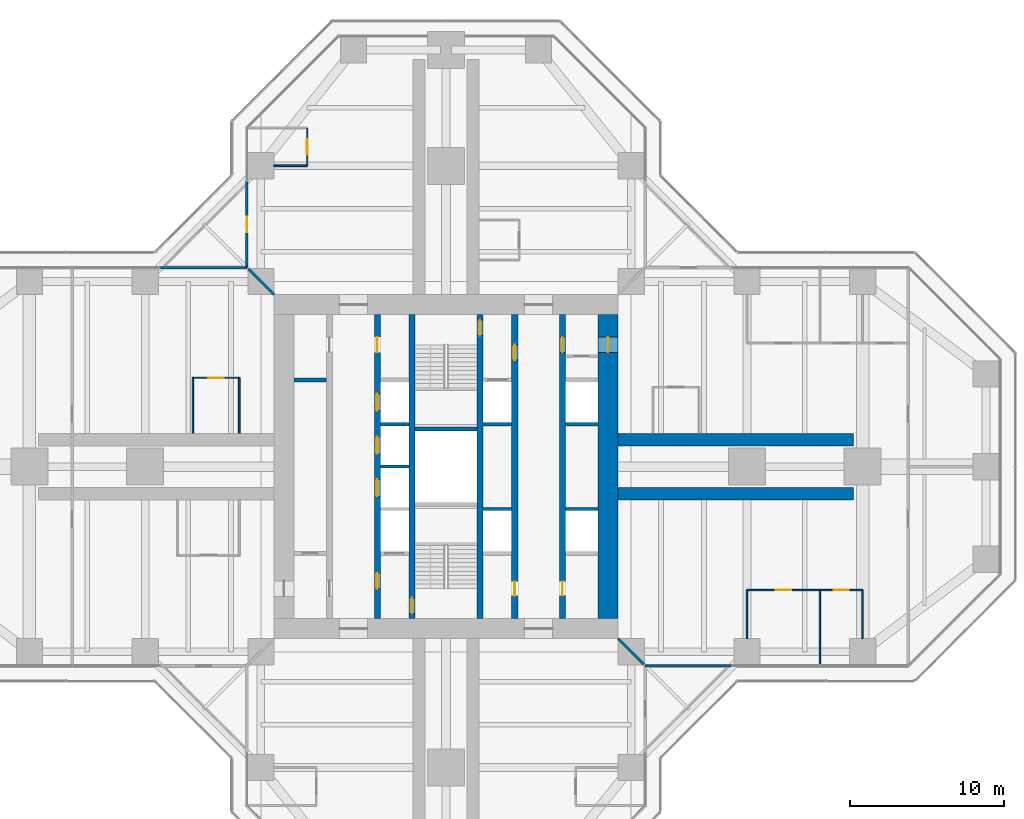
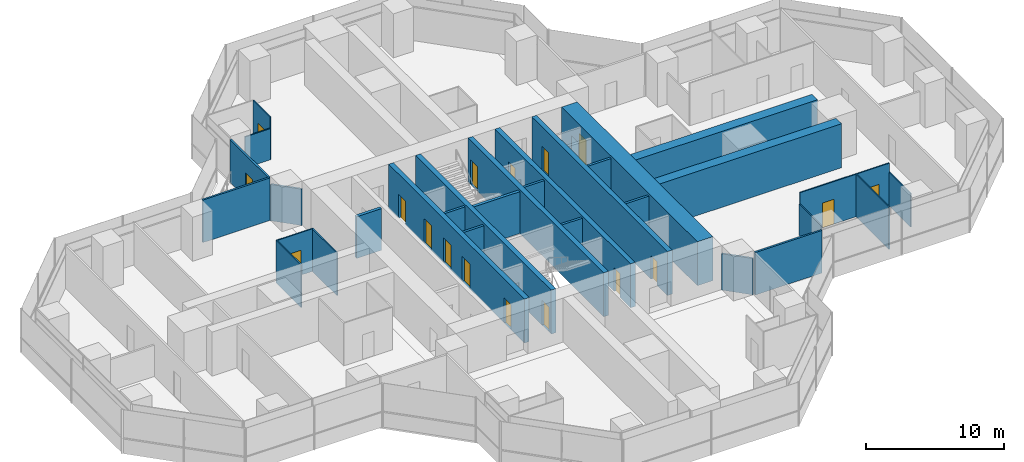
# One storey, part 16 of 20: 30 walls, 17 doors, 17 openings.
"""IFC4 building model written with IfcOpenShell, lengths in metres."""

from ifc_helpers import new_model, si_unit, direction, frame, frame_2d, origin, place, context, subcontext, project, spatial, rectangle, extrude, material, layer, layer_set, type_object, element, fill, save


model = new_model("IFC4")

# Units and contexts
model_context = context("Model", 3, precision=1e-05, world=origin(), true_north=direction((0.0, 1.0)))
body_context = subcontext(model_context, "Body", "Model", "MODEL_VIEW")
ifc_project = project(units=[si_unit("LENGTHUNIT", "METRE"), si_unit("AREAUNIT", "SQUARE_METRE"), si_unit("VOLUMEUNIT", "CUBIC_METRE"), si_unit("PLANEANGLEUNIT", "RADIAN"), si_unit("MASSUNIT", "GRAM", prefix="KILO")], contexts=[model_context])

# Site, building, storey
site_placement = place(None, origin())
site = spatial("IfcSite", under=ifc_project, at=site_placement, CompositionType="ELEMENT")
building_placement = place(site_placement, origin())
building = spatial("IfcBuilding", under=site, at=building_placement, Name="Mizan Broadcast Tower", CompositionType="ELEMENT")
storey_placement = place(building_placement, frame((0.0, 0.0, 147.60009765625)))
storey = spatial("IfcBuildingStorey", under=building, at=storey_placement, Name="L33", CompositionType="ELEMENT", Elevation=147.60009765625)

# Wall, openings, doors
ifc_material_1 = material(Name="Concrete C70/85", Category="concrete")
ifc_layer_1 = layer(ifc_material_1, 0.39990234375)
ifc_layer_set_1 = layer_set([ifc_layer_1], Name="Concrete C70/85")
wall_type_1 = type_object("IfcWallType", Name="CORE INTERNAL WALL 400", PredefinedType="SHEAR", material=ifc_layer_set_1)
wall_1_placement = place(storey_placement, frame((7.550048828125, 9.85009765625, 0.0), z_axis=(0.0, 0.0, 1.0), x_axis=(0.0, -1.0, 0.0)))
wall_1 = element("IfcWall", 1, at=wall_1_placement, inside=storey, type_object=wall_type_1, Name="Core wall CORE/XW1E", PredefinedType="SHEAR", context=body_context, shape_type="SweptSolid", body=[
    extrude(rectangle(XDim=19.7001953125, YDim=0.39990234375, at=frame_2d((9.85009765625, 0.0))), origin(), (0.0, 0.0, 1.0), 3.89990234375),
])
opening_1_placement = place(wall_1_placement, frame((1.449951171875, 0.0, 0.0)))
opening_1 = element("IfcOpeningElement", 2, at=opening_1_placement, cuts=wall_1, Name="Opening D10F", PredefinedType="OPENING", context=body_context, shape_type="SweptSolid", body=[
    extrude(rectangle(XDim=1.0, YDim=2.199951171875, at=frame_2d((0.5, 1.10009765625))), frame((0.0, 0.2099609375, 0.0), z_axis=(0.0, -1.0, 0.0), x_axis=(1.0, 0.0, 0.0)), (0.0, 0.0, 1.0), 0.419921875),
])
opening_2_placement = place(wall_1_placement, frame((17.300048828125, 0.0, 0.0)))
opening_2 = element("IfcOpeningElement", 3, at=opening_2_placement, cuts=wall_1, Name="Opening D09", PredefinedType="OPENING", context=body_context, shape_type="SweptSolid", body=[
    extrude(rectangle(XDim=0.89990234375, YDim=2.10009765625, at=frame_2d((0.449951171875, 1.050048828125))), frame((0.0, 0.2099609375, 0.0), z_axis=(0.0, -1.0, 0.0), x_axis=(1.0, 0.0, 0.0)), (0.0, 0.0, 1.0), 0.419921875),
])
ifc_material_2 = material(Name="Steel door leaf in steel frame", Category="steel")
door_type_1 = type_object("IfcDoorType", Name="FIRE DOOR 1000 FD90", OperationType="SINGLE_SWING_LEFT", PredefinedType="DOOR", material=ifc_material_2)
door_1_placement = place(opening_1_placement, origin())
door_1 = element("IfcDoor", 4, at=door_1_placement, inside=storey, type_object=door_type_1, Name="East core passage door", OperationType="SINGLE_SWING_LEFT", OverallHeight=2.199951171875, OverallWidth=1.0, PredefinedType="DOOR", context=body_context, shape_type="SweptSolid", body=[
    extrude(rectangle(XDim=1.0, YDim=2.199951171875, at=frame_2d((0.5, 1.10009765625))), frame((0.0, 0.02490234375, 0.0), z_axis=(0.0, -1.0, 0.0), x_axis=(1.0, 0.0, 0.0)), (0.0, 0.0, 1.0), 0.050048828125),
])
fill(opening_1, door_1)
ifc_material_3 = material(Name="Timber door leaf in aluminium frame", Category="wood")
door_type_2 = type_object("IfcDoorType", Name="TOILET DOOR 900", OperationType="SINGLE_SWING_LEFT", PredefinedType="DOOR", material=ifc_material_3)
door_2_placement = place(opening_2_placement, origin())
door_2 = element("IfcDoor", 5, at=door_2_placement, inside=storey, type_object=door_type_2, Name="Female WC door", OperationType="SINGLE_SWING_RIGHT", OverallHeight=2.10009765625, OverallWidth=0.89990234375, PredefinedType="DOOR", context=body_context, shape_type="SweptSolid", body=[
    extrude(rectangle(XDim=0.89990234375, YDim=2.10009765625, at=frame_2d((0.449951171875, 1.050048828125))), frame((0.0, 0.02490234375, 0.0), z_axis=(0.0, -1.0, 0.0), x_axis=(1.0, 0.0, 0.0)), (0.0, 0.0, 1.0), 0.050048828125),
])
fill(opening_2, door_2)

wall_2_placement = place(storey_placement, frame((-4.449951171875, -9.85009765625, 0.0), z_axis=(0.0, 0.0, 1.0), x_axis=(0.0, 1.0, 0.0)))
wall_2 = element("IfcWall", 6, at=wall_2_placement, inside=storey, type_object=wall_type_1, Name="Core wall CORE/XWH", PredefinedType="SHEAR", context=body_context, shape_type="SweptSolid", body=[
    extrude(rectangle(XDim=19.7001953125, YDim=0.39990234375, at=frame_2d((9.85009765625, 0.0))), origin(), (0.0, 0.0, 1.0), 3.89990234375),
])
opening_3_placement = place(wall_2_placement, frame((1.949951171875, 0.0, 0.0)))
opening_3 = element("IfcOpeningElement", 7, at=opening_3_placement, cuts=wall_2, Name="Opening D10F", PredefinedType="OPENING", context=body_context, shape_type="SweptSolid", body=[
    extrude(rectangle(XDim=1.0, YDim=2.199951171875, at=frame_2d((0.5, 1.10009765625))), frame((0.0, 0.2099609375, 0.0), z_axis=(0.0, -1.0, 0.0), x_axis=(1.0, 0.0, 0.0)), (0.0, 0.0, 1.0), 0.419921875),
])
opening_4_placement = place(wall_2_placement, frame((17.25, 0.0, 0.0)))
opening_4 = element("IfcOpeningElement", 8, at=opening_4_placement, cuts=wall_2, Name="Opening D10A", PredefinedType="OPENING", context=body_context, shape_type="SweptSolid", body=[
    extrude(rectangle(XDim=1.0, YDim=2.10009765625, at=frame_2d((0.5, 1.050048828125))), frame((0.0, 0.2099609375, 0.0), z_axis=(0.0, -1.0, 0.0), x_axis=(1.0, 0.0, 0.0)), (0.0, 0.0, 1.0), 0.419921875),
])
opening_5_placement = place(wall_2_placement, frame((7.925048828125, 0.0, 0.0)))
opening_5 = element("IfcOpeningElement", 9, at=opening_5_placement, cuts=wall_2, Name="Opening LD", PredefinedType="OPENING", context=body_context, shape_type="SweptSolid", body=[
    extrude(rectangle(XDim=1.10009765625, YDim=2.199951171875, at=frame_2d((0.550048828125, 1.10009765625))), frame((0.0, 0.2099609375, 0.0), z_axis=(0.0, -1.0, 0.0), x_axis=(1.0, 0.0, 0.0)), (0.0, 0.0, 1.0), 0.419921875),
])
opening_6_placement = place(wall_2_placement, frame((10.675048828125, 0.0, 0.0)))
opening_6 = element("IfcOpeningElement", 10, at=opening_6_placement, cuts=wall_2, Name="Opening LD", PredefinedType="OPENING", context=body_context, shape_type="SweptSolid", body=[
    extrude(rectangle(XDim=1.10009765625, YDim=2.199951171875, at=frame_2d((0.550048828125, 1.10009765625))), frame((0.0, 0.2099609375, 0.0), z_axis=(0.0, -1.0, 0.0), x_axis=(1.0, 0.0, 0.0)), (0.0, 0.0, 1.0), 0.419921875),
])
opening_7_placement = place(wall_2_placement, frame((13.47509765625, 0.0, 0.0)))
opening_7 = element("IfcOpeningElement", 11, at=opening_7_placement, cuts=wall_2, Name="Opening LD", PredefinedType="OPENING", context=body_context, shape_type="SweptSolid", body=[
    extrude(rectangle(XDim=1.10009765625, YDim=2.199951171875, at=frame_2d((0.550048828125, 1.10009765625))), frame((0.0, 0.2099609375, 0.0), z_axis=(0.0, -1.0, 0.0), x_axis=(1.0, 0.0, 0.0)), (0.0, 0.0, 1.0), 0.419921875),
])
ifc_material_4 = material(Name="Timber door leaf in aluminium frame", Category="wood")
door_type_3 = type_object("IfcDoorType", Name="ACCESSIBLE WC DOOR 1000", OperationType="SLIDING_TO_LEFT", PredefinedType="DOOR", material=ifc_material_4)
door_3_placement = place(opening_4_placement, origin())
door_3 = element("IfcDoor", 12, at=door_3_placement, inside=storey, type_object=door_type_3, Name="Accessible WC door", OperationType="SLIDING_TO_LEFT", OverallHeight=2.10009765625, OverallWidth=1.0, PredefinedType="DOOR", context=body_context, shape_type="SweptSolid", body=[
    extrude(rectangle(XDim=1.0, YDim=2.10009765625, at=frame_2d((0.5, 1.050048828125))), frame((0.0, 0.02490234375, 0.0), z_axis=(0.0, -1.0, 0.0), x_axis=(1.0, 0.0, 0.0)), (0.0, 0.0, 1.0), 0.050048828125),
])
fill(opening_4, door_3)
door_4_placement = place(opening_3_placement, origin())
door_4 = element("IfcDoor", 13, at=door_4_placement, inside=storey, type_object=door_type_1, Name="Firefighting lobby A door", OperationType="SINGLE_SWING_LEFT", OverallHeight=2.199951171875, OverallWidth=1.0, PredefinedType="DOOR", context=body_context, shape_type="SweptSolid", body=[
    extrude(rectangle(XDim=1.0, YDim=2.199951171875, at=frame_2d((0.5, 1.10009765625))), frame((0.0, 0.02490234375, 0.0), z_axis=(0.0, -1.0, 0.0), x_axis=(1.0, 0.0, 0.0)), (0.0, 0.0, 1.0), 0.050048828125),
])
fill(opening_3, door_4)
ifc_material_5 = material(Name="Steel door leaf in steel frame", Category="steel")
door_type_4 = type_object("IfcDoorType", Name="LIFT LANDING DOOR 1100", OperationType="SLIDING_TO_LEFT", PredefinedType="DOOR", material=ifc_material_5)
door_5_placement = place(opening_5_placement, origin())
door_5 = element("IfcDoor", 14, at=door_5_placement, inside=storey, type_object=door_type_4, Name="Landing door LB1", OperationType="SLIDING_TO_LEFT", OverallHeight=2.199951171875, OverallWidth=1.10009765625, PredefinedType="DOOR", context=body_context, shape_type="SweptSolid", body=[
    extrude(rectangle(XDim=1.10009765625, YDim=2.199951171875, at=frame_2d((0.550048828125, 1.10009765625))), frame((0.0, 0.02490234375, 0.0), z_axis=(0.0, -1.0, 0.0), x_axis=(1.0, 0.0, 0.0)), (0.0, 0.0, 1.0), 0.050048828125),
])
fill(opening_5, door_5)
door_6_placement = place(opening_6_placement, origin())
door_6 = element("IfcDoor", 15, at=door_6_placement, inside=storey, type_object=door_type_4, Name="Landing door LB2", OperationType="SLIDING_TO_LEFT", OverallHeight=2.199951171875, OverallWidth=1.10009765625, PredefinedType="DOOR", context=body_context, shape_type="SweptSolid", body=[
    extrude(rectangle(XDim=1.10009765625, YDim=2.199951171875, at=frame_2d((0.550048828125, 1.10009765625))), frame((0.0, 0.02490234375, 0.0), z_axis=(0.0, -1.0, 0.0), x_axis=(1.0, 0.0, 0.0)), (0.0, 0.0, 1.0), 0.050048828125),
])
fill(opening_6, door_6)
door_7_placement = place(opening_7_placement, origin())
door_7 = element("IfcDoor", 16, at=door_7_placement, inside=storey, type_object=door_type_4, Name="Landing door LB3", OperationType="SLIDING_TO_LEFT", OverallHeight=2.199951171875, OverallWidth=1.10009765625, PredefinedType="DOOR", context=body_context, shape_type="SweptSolid", body=[
    extrude(rectangle(XDim=1.10009765625, YDim=2.199951171875, at=frame_2d((0.550048828125, 1.10009765625))), frame((0.0, 0.02490234375, 0.0), z_axis=(0.0, -1.0, 0.0), x_axis=(1.0, 0.0, 0.0)), (0.0, 0.0, 1.0), 0.050048828125),
])
fill(opening_7, door_7)

wall_3_placement = place(storey_placement, frame((4.449951171875, 9.85009765625, 0.0), z_axis=(0.0, 0.0, 1.0), x_axis=(0.0, -1.0, 0.0)))
wall_3 = element("IfcWall", 17, at=wall_3_placement, inside=storey, type_object=wall_type_1, Name="Core wall CORE/XWHE", PredefinedType="SHEAR", context=body_context, shape_type="SweptSolid", body=[
    extrude(rectangle(XDim=19.7001953125, YDim=0.39990234375, at=frame_2d((9.85009765625, 0.0))), origin(), (0.0, 0.0, 1.0), 3.89990234375),
])
opening_8_placement = place(wall_3_placement, frame((1.949951171875, 0.0, 0.0)))
opening_8 = element("IfcOpeningElement", 18, at=opening_8_placement, cuts=wall_3, Name="Opening D10F", PredefinedType="OPENING", context=body_context, shape_type="SweptSolid", body=[
    extrude(rectangle(XDim=1.0, YDim=2.199951171875, at=frame_2d((0.5, 1.10009765625))), frame((0.0, 0.2099609375, 0.0), z_axis=(0.0, -1.0, 0.0), x_axis=(1.0, 0.0, 0.0)), (0.0, 0.0, 1.0), 0.419921875),
])
opening_9_placement = place(wall_3_placement, frame((17.300048828125, 0.0, 0.0)))
opening_9 = element("IfcOpeningElement", 19, at=opening_9_placement, cuts=wall_3, Name="Opening D09", PredefinedType="OPENING", context=body_context, shape_type="SweptSolid", body=[
    extrude(rectangle(XDim=0.89990234375, YDim=2.10009765625, at=frame_2d((0.449951171875, 1.050048828125))), frame((0.0, 0.2099609375, 0.0), z_axis=(0.0, -1.0, 0.0), x_axis=(1.0, 0.0, 0.0)), (0.0, 0.0, 1.0), 0.419921875),
])
door_8_placement = place(opening_8_placement, origin())
door_8 = element("IfcDoor", 20, at=door_8_placement, inside=storey, type_object=door_type_1, Name="Firefighting lobby B door", OperationType="SINGLE_SWING_LEFT", OverallHeight=2.199951171875, OverallWidth=1.0, PredefinedType="DOOR", context=body_context, shape_type="SweptSolid", body=[
    extrude(rectangle(XDim=1.0, YDim=2.199951171875, at=frame_2d((0.5, 1.10009765625))), frame((0.0, 0.02490234375, 0.0), z_axis=(0.0, -1.0, 0.0), x_axis=(1.0, 0.0, 0.0)), (0.0, 0.0, 1.0), 0.050048828125),
])
fill(opening_8, door_8)
door_9_placement = place(opening_9_placement, origin())
door_9 = element("IfcDoor", 21, at=door_9_placement, inside=storey, type_object=door_type_2, Name="Cleaner's store door", OperationType="SINGLE_SWING_RIGHT", OverallHeight=2.10009765625, OverallWidth=0.89990234375, PredefinedType="DOOR", context=body_context, shape_type="SweptSolid", body=[
    extrude(rectangle(XDim=0.89990234375, YDim=2.10009765625, at=frame_2d((0.449951171875, 1.050048828125))), frame((0.0, 0.02490234375, 0.0), z_axis=(0.0, -1.0, 0.0), x_axis=(1.0, 0.0, 0.0)), (0.0, 0.0, 1.0), 0.050048828125),
])
fill(opening_9, door_9)

# Wall, opening, door
wall_4_placement = place(storey_placement, frame((-2.199951171875, -9.85009765625, 0.0), z_axis=(0.0, 0.0, 1.0), x_axis=(0.0, 1.0, 0.0)))
wall_4 = element("IfcWall", 22, at=wall_4_placement, inside=storey, type_object=wall_type_1, Name="Core wall CORE/XW2", PredefinedType="SHEAR", context=body_context, shape_type="SweptSolid", body=[
    extrude(rectangle(XDim=19.7001953125, YDim=0.39990234375, at=frame_2d((9.85009765625, 0.0))), origin(), (0.0, 0.0, 1.0), 3.89990234375),
])
opening_10_placement = place(wall_4_placement, frame((0.35009765625, 0.0, 0.0)))
opening_10 = element("IfcOpeningElement", 23, at=opening_10_placement, cuts=wall_4, Name="Opening D10S", PredefinedType="OPENING", context=body_context, shape_type="SweptSolid", body=[
    extrude(rectangle(XDim=1.0, YDim=2.199951171875, at=frame_2d((0.5, 1.10009765625))), frame((0.0, 0.2099609375, 0.0), z_axis=(0.0, -1.0, 0.0), x_axis=(1.0, 0.0, 0.0)), (0.0, 0.0, 1.0), 0.419921875),
])
ifc_material_6 = material(Name="Steel door leaf in steel frame", Category="steel")
door_type_5 = type_object("IfcDoorType", Name="STAIR DOOR 1000 FD90S", OperationType="SINGLE_SWING_RIGHT", PredefinedType="DOOR", material=ifc_material_6)
door_10_placement = place(opening_10_placement, origin())
door_10 = element("IfcDoor", 24, at=door_10_placement, inside=storey, type_object=door_type_5, Name="Stair A door", OperationType="SINGLE_SWING_RIGHT", OverallHeight=2.199951171875, OverallWidth=1.0, PredefinedType="DOOR", context=body_context, shape_type="SweptSolid", body=[
    extrude(rectangle(XDim=1.0, YDim=2.199951171875, at=frame_2d((0.5, 1.10009765625))), frame((0.0, 0.02490234375, 0.0), z_axis=(0.0, -1.0, 0.0), x_axis=(1.0, 0.0, 0.0)), (0.0, 0.0, 1.0), 0.050048828125),
])
fill(opening_10, door_10)

wall_5_placement = place(storey_placement, frame((2.199951171875, 9.85009765625, 0.0), z_axis=(0.0, 0.0, 1.0), x_axis=(0.0, -1.0, 0.0)))
wall_5 = element("IfcWall", 25, at=wall_5_placement, inside=storey, type_object=wall_type_1, Name="Core wall CORE/XW2E", PredefinedType="SHEAR", context=body_context, shape_type="SweptSolid", body=[
    extrude(rectangle(XDim=19.7001953125, YDim=0.39990234375, at=frame_2d((9.85009765625, 0.0))), origin(), (0.0, 0.0, 1.0), 3.89990234375),
])
opening_11_placement = place(wall_5_placement, frame((0.35009765625, 0.0, 0.0)))
opening_11 = element("IfcOpeningElement", 26, at=opening_11_placement, cuts=wall_5, Name="Opening D10S", PredefinedType="OPENING", context=body_context, shape_type="SweptSolid", body=[
    extrude(rectangle(XDim=1.0, YDim=2.199951171875, at=frame_2d((0.5, 1.10009765625))), frame((0.0, 0.2099609375, 0.0), z_axis=(0.0, -1.0, 0.0), x_axis=(1.0, 0.0, 0.0)), (0.0, 0.0, 1.0), 0.419921875),
])
door_11_placement = place(opening_11_placement, origin())
door_11 = element("IfcDoor", 27, at=door_11_placement, inside=storey, type_object=door_type_5, Name="Stair B door", OperationType="SINGLE_SWING_RIGHT", OverallHeight=2.199951171875, OverallWidth=1.0, PredefinedType="DOOR", context=body_context, shape_type="SweptSolid", body=[
    extrude(rectangle(XDim=1.0, YDim=2.199951171875, at=frame_2d((0.5, 1.10009765625))), frame((0.0, 0.02490234375, 0.0), z_axis=(0.0, -1.0, 0.0), x_axis=(1.0, 0.0, 0.0)), (0.0, 0.0, 1.0), 0.050048828125),
])
fill(opening_11, door_11)

ifc_material_7 = material(Name="Concrete C70/85", Category="concrete")
ifc_layer_2 = layer(ifc_material_7, 1.300048828125)
ifc_layer_set_2 = layer_set([ifc_layer_2], Name="Concrete C70/85")
wall_type_2 = type_object("IfcWallType", Name="CORE WALL 1300", PredefinedType="SHEAR", material=ifc_layer_set_2)
wall_6_placement = place(storey_placement, frame((10.5, -9.85009765625, 0.0), z_axis=(0.0, 0.0, 1.0), x_axis=(0.0, 1.0, 0.0)))
wall_6 = element("IfcWall", 28, at=wall_6_placement, inside=storey, type_object=wall_type_2, Name="Core wall E L33", PredefinedType="SHEAR", context=body_context, shape_type="SweptSolid", body=[
    extrude(rectangle(XDim=19.7001953125, YDim=1.300048828125, at=frame_2d((9.85009765625, 0.0))), origin(), (0.0, 0.0, 1.0), 3.89990234375),
])
opening_12_placement = place(wall_6_placement, frame((17.25, 0.0, 0.0)))
opening_12 = element("IfcOpeningElement", 29, at=opening_12_placement, cuts=wall_6, Name="Opening D10F", PredefinedType="OPENING", context=body_context, shape_type="SweptSolid", body=[
    extrude(rectangle(XDim=1.0, YDim=2.199951171875, at=frame_2d((0.5, 1.10009765625))), frame((0.0, 0.659912109375, 0.0), z_axis=(0.0, -1.0, 0.0), x_axis=(1.0, 0.0, 0.0)), (0.0, 0.0, 1.0), 1.320068359375),
])
door_12_placement = place(opening_12_placement, origin())
door_12 = element("IfcDoor", 30, at=door_12_placement, inside=storey, type_object=door_type_1, Name="East core passage arm door", OperationType="SINGLE_SWING_RIGHT", OverallHeight=2.199951171875, OverallWidth=1.0, PredefinedType="DOOR", context=body_context, shape_type="SweptSolid", body=[
    extrude(rectangle(XDim=1.0, YDim=2.199951171875, at=frame_2d((0.5, 1.10009765625))), frame((0.0, 0.02490234375, 0.0), z_axis=(0.0, -1.0, 0.0), x_axis=(1.0, 0.0, 0.0)), (0.0, 0.0, 1.0), 0.050048828125),
])
fill(opening_12, door_12)

# Wall
ifc_material_8 = material(Name="Aluminium framed glazed screen", Category="aluminium")
ifc_layer_3 = layer(ifc_material_8, 0.159912109375)
ifc_layer_set_3 = layer_set([ifc_layer_3], Name="Aluminium framed glazed screen")
wall_type_3 = type_object("IfcWallType", Name="GLAZED SCREEN WALL 160", PredefinedType="SOLIDWALL", material=ifc_layer_set_3)
wall_7_placement = place(storey_placement, frame((12.89990234375, -12.89990234375, 0.0), z_axis=(0.0, 0.0, 1.0), x_axis=(1.0, 0.0, 0.0)))
element("IfcWall", 31, at=wall_7_placement, inside=storey, type_object=wall_type_3, Name="Winter garden screen L33 E", PredefinedType="SOLIDWALL", context=body_context, shape_type="SweptSolid", body=[
    extrude(rectangle(XDim=5.60009765625, YDim=0.159912109375, at=frame_2d((2.800048828125, 0.0))), origin(), (0.0, 0.0, 1.0), 3.77001953125),
])

# Wall, opening, door
wall_8_placement = place(storey_placement, frame((-12.89990234375, 18.5, 0.0), z_axis=(0.0, 0.0, 1.0), x_axis=(0.0, -1.0, 0.0)))
wall_8 = element("IfcWall", 32, at=wall_8_placement, inside=storey, type_object=wall_type_3, Name="Winter garden screen L33 N", PredefinedType="SOLIDWALL", context=body_context, shape_type="SweptSolid", body=[
    extrude(rectangle(XDim=5.60009765625, YDim=0.159912109375, at=frame_2d((2.800048828125, 0.0))), origin(), (0.0, 0.0, 1.0), 3.77001953125),
])
opening_13_placement = place(wall_8_placement, frame((2.300048828125, 0.0, 0.0)))
opening_13 = element("IfcOpeningElement", 33, at=opening_13_placement, cuts=wall_8, Name="Opening WGD", PredefinedType="OPENING", context=body_context, shape_type="SweptSolid", body=[
    extrude(rectangle(XDim=1.0, YDim=2.199951171875, at=frame_2d((0.5, 1.10009765625))), frame((0.0, 0.08984375, 0.0), z_axis=(0.0, -1.0, 0.0), x_axis=(1.0, 0.0, 0.0)), (0.0, 0.0, 1.0), 0.179931640625),
])
ifc_material_9 = material(Name="Aluminium framed glazed door", Category="aluminium")
door_type_6 = type_object("IfcDoorType", Name="WINTER GARDEN DOOR 1000 GLAZED", OperationType="SINGLE_SWING_LEFT", PredefinedType="DOOR", material=ifc_material_9)
door_13_placement = place(opening_13_placement, origin())
door_13 = element("IfcDoor", 34, at=door_13_placement, inside=storey, type_object=door_type_6, Name="Winter garden door L33 N", OperationType="SINGLE_SWING_RIGHT", OverallHeight=2.199951171875, OverallWidth=1.0, PredefinedType="DOOR", context=body_context, shape_type="SweptSolid", body=[
    extrude(rectangle(XDim=1.0, YDim=2.199951171875, at=frame_2d((0.5, 1.10009765625))), frame((0.0, 0.02490234375, 0.0), z_axis=(0.0, -1.0, 0.0), x_axis=(1.0, 0.0, 0.0)), (0.0, 0.0, 1.0), 0.050048828125),
])
fill(opening_13, door_13)

# Walls
wall_9_placement = place(storey_placement, frame((-12.89990234375, 12.89990234375, 0.0), z_axis=(0.0, 0.0, 1.0), x_axis=(-1.0, 0.0, 0.0)))
element("IfcWall", 35, at=wall_9_placement, inside=storey, type_object=wall_type_3, Name="Winter garden screen L33 W", PredefinedType="SOLIDWALL", context=body_context, shape_type="SweptSolid", body=[
    extrude(rectangle(XDim=5.60009765625, YDim=0.159912109375, at=frame_2d((2.800048828125, 0.0))), origin(), (0.0, 0.0, 1.0), 3.77001953125),
])
ifc_material_10 = material(Name="Concrete blockwork", Category="masonry")
ifc_layer_4 = layer(ifc_material_10, 0.199951171875)
ifc_layer_set_4 = layer_set([ifc_layer_4], Name="Concrete blockwork")
wall_type_4 = type_object("IfcWallType", Name="LIFT SHAFT WALL 200", PredefinedType="SOLIDWALL", material=ifc_layer_set_4)
wall_10_placement = place(storey_placement, frame((2.39990234375, -2.75, 0.0), z_axis=(0.0, 0.0, 1.0), x_axis=(1.0, 0.0, 0.0)))
element("IfcWall", 36, at=wall_10_placement, inside=storey, type_object=wall_type_4, Name="Lift shaft wall CORE/SE2-1", PredefinedType="SOLIDWALL", context=body_context, shape_type="SweptSolid", body=[
    extrude(rectangle(XDim=1.85009765625, YDim=0.199951171875, at=frame_2d((0.925048828125, 0.0))), origin(), (0.0, 0.0, 1.0), 3.699951171875),
])
wall_11_placement = place(storey_placement, frame((7.75, -2.75, 0.0), z_axis=(0.0, 0.0, 1.0), x_axis=(1.0, 0.0, 0.0)))
element("IfcWall", 37, at=wall_11_placement, inside=storey, type_object=wall_type_4, Name="Lift shaft wall CORE/SE1-1", PredefinedType="SOLIDWALL", context=body_context, shape_type="SweptSolid", body=[
    extrude(rectangle(XDim=2.10009765625, YDim=0.199951171875, at=frame_2d((1.050048828125, 0.0))), origin(), (0.0, 0.0, 1.0), 3.699951171875),
])
for number, where, z_axis, x_axis, name in (
    (38, (-4.25, 0.0, 0.0), (0.0, 0.0, 1.0), (1.0, 0.0, 0.0), "Lift shaft wall CORE/SW2-2"),
    (39, (-4.25, 2.75, 0.0), (0.0, 0.0, 1.0), (1.0, 0.0, 0.0), "Lift shaft wall CORE/SW2-3"),
    (40, (2.39990234375, 2.75, 0.0), (0.0, 0.0, 1.0), (1.0, 0.0, 0.0), "Lift shaft wall CORE/SE2-3"),
):
    element("IfcWall", number, at=place(storey_placement, frame(where, z_axis=z_axis, x_axis=x_axis)), inside=storey, type_object=wall_type_4, Name=name, PredefinedType="SOLIDWALL", context=body_context, shape_type="SweptSolid", body=[
        extrude(rectangle(XDim=1.85009765625, YDim=0.199951171875, at=frame_2d((0.925048828125, 0.0))), origin(), (0.0, 0.0, 1.0), 3.699951171875),
    ])
wall_12_placement = place(storey_placement, frame((7.75, 2.75, 0.0), z_axis=(0.0, 0.0, 1.0), x_axis=(1.0, 0.0, 0.0)))
element("IfcWall", 41, at=wall_12_placement, inside=storey, type_object=wall_type_4, Name="Lift shaft wall CORE/SE1-3", PredefinedType="SOLIDWALL", context=body_context, shape_type="SweptSolid", body=[
    extrude(rectangle(XDim=2.10009765625, YDim=0.199951171875, at=frame_2d((1.050048828125, 0.0))), origin(), (0.0, 0.0, 1.0), 3.699951171875),
])
ifc_material_11 = material(Name="Concrete blockwork", Category="masonry")
ifc_layer_5 = layer(ifc_material_11, 0.25)
ifc_layer_set_5 = layer_set([ifc_layer_5], Name="Concrete blockwork")
wall_type_5 = type_object("IfcWallType", Name="LOBBY ENCLOSURE WALL 250", PredefinedType="SOLIDWALL", material=ifc_layer_set_5)
wall_13_placement = place(storey_placement, frame((-9.85009765625, 5.625, 0.0), z_axis=(0.0, 0.0, 1.0), x_axis=(1.0, 0.0, 0.0)))
element("IfcWall", 42, at=wall_13_placement, inside=storey, type_object=wall_type_5, Name="Lobby enclosure wall CORE/BW1N", PredefinedType="SOLIDWALL", context=body_context, shape_type="SweptSolid", body=[
    extrude(rectangle(XDim=2.10009765625, YDim=0.25, at=frame_2d((1.050048828125, 0.0))), origin(), (0.0, 0.0, 1.0), 3.699951171875),
])
wall_14_placement = place(storey_placement, frame((-2.0, 2.449951171875, 0.0), z_axis=(0.0, 0.0, 1.0), x_axis=(1.0, 0.0, 0.0)))
element("IfcWall", 43, at=wall_14_placement, inside=storey, type_object=wall_type_5, Name="Lobby enclosure wall CORE/STB", PredefinedType="SOLIDWALL", context=body_context, shape_type="SweptSolid", body=[
    extrude(rectangle(XDim=4.0, YDim=0.25, at=frame_2d((2.0, 0.0))), origin(), (0.0, 0.0, 1.0), 3.699951171875),
])
ifc_material_12 = material(Name="Gypsum board on steel studs", Category="steel")
ifc_layer_6 = layer(ifc_material_12, 0.14990234375)
ifc_layer_set_6 = layer_set([ifc_layer_6], Name="Gypsum board on steel studs")
wall_type_6 = type_object("IfcWallType", Name="PARTITION 150", PredefinedType="PARTITIONING", material=ifc_layer_set_6)
for number, where, z_axis, x_axis, name in (
    (44, (-11.14990234375, 11.14990234375, 0.0), (0.0, 0.0, 1.0), (-0.707106781187, 0.707106781187, 0.0), "Partition PT/DGWN"),
    (45, (11.14990234375, -11.14990234375, 0.0), (0.0, 0.0, 1.0), (0.707106781187, -0.707106781187, 0.0), "Partition PT/DGES"),
):
    element("IfcWall", number, at=place(storey_placement, frame(where, z_axis=z_axis, x_axis=x_axis)), inside=storey, type_object=wall_type_6, Name=name, PredefinedType="PARTITIONING", context=body_context, shape_type="SweptSolid", body=[
        extrude(rectangle(XDim=2.362060546875, YDim=0.14990234375, at=frame_2d((1.18115234375, 0.0))), origin(), (0.0, 0.0, 1.0), 3.219970703125),
    ])

# Wall, openings, doors
ifc_material_13 = material(Name="Glazed aluminium partition on aluminium track", Category="aluminium")
ifc_layer_7 = layer(ifc_material_13, 0.10009765625)
ifc_layer_set_7 = layer_set([ifc_layer_7], Name="Glazed aluminium partition on aluminium track")
wall_type_7 = type_object("IfcWallType", Name="PARTITION GLAZED OFFICE FRONT 100", PredefinedType="PARTITIONING", material=ifc_layer_set_7)
wall_15_placement = place(storey_placement, frame((19.5, -8.0, 0.0), z_axis=(0.0, 0.0, 1.0), x_axis=(1.0, 0.0, 0.0)))
wall_15 = element("IfcWall", 46, at=wall_15_placement, inside=storey, type_object=wall_type_7, Name="Glazed office front PT/ECN0", PredefinedType="PARTITIONING", context=body_context, shape_type="SweptSolid", body=[
    extrude(rectangle(XDim=7.5, YDim=0.10009765625, at=frame_2d((3.75, 0.0))), origin(), (0.0, 0.0, 1.0), 3.77001953125),
])
opening_14_placement = place(wall_15_placement, frame((1.864501953125, 0.0, 0.0)))
opening_14 = element("IfcOpeningElement", 47, at=opening_14_placement, cuts=wall_15, Name="Opening D10O", PredefinedType="OPENING", context=body_context, shape_type="SweptSolid", body=[
    extrude(rectangle(XDim=1.0, YDim=2.199951171875, at=frame_2d((0.5, 1.10009765625))), frame((0.0, 0.06005859375, 0.0), z_axis=(0.0, -1.0, 0.0), x_axis=(1.0, 0.0, 0.0)), (0.0, 0.0, 1.0), 0.1201171875),
])
opening_15_placement = place(wall_15_placement, frame((5.614501953125, 0.0, 0.0)))
opening_15 = element("IfcOpeningElement", 48, at=opening_15_placement, cuts=wall_15, Name="Opening D10O", PredefinedType="OPENING", context=body_context, shape_type="SweptSolid", body=[
    extrude(rectangle(XDim=1.0, YDim=2.199951171875, at=frame_2d((0.5, 1.10009765625))), frame((0.0, 0.06005859375, 0.0), z_axis=(0.0, -1.0, 0.0), x_axis=(1.0, 0.0, 0.0)), (0.0, 0.0, 1.0), 0.1201171875),
])
ifc_material_14 = material(Name="Timber door leaf in aluminium frame", Category="wood")
door_type_7 = type_object("IfcDoorType", Name="OFFICE DOOR 1000 GLAZED", OperationType="SINGLE_SWING_LEFT", PredefinedType="DOOR", material=ifc_material_14)
door_14_placement = place(opening_14_placement, origin())
door_14 = element("IfcDoor", 49, at=door_14_placement, inside=storey, type_object=door_type_7, Name="Office door", OperationType="SINGLE_SWING_LEFT", OverallHeight=2.199951171875, OverallWidth=1.0, PredefinedType="DOOR", context=body_context, shape_type="SweptSolid", body=[
    extrude(rectangle(XDim=1.0, YDim=2.199951171875, at=frame_2d((0.5, 1.10009765625))), frame((0.0, 0.02490234375, 0.0), z_axis=(0.0, -1.0, 0.0), x_axis=(1.0, 0.0, 0.0)), (0.0, 0.0, 1.0), 0.050048828125),
])
fill(opening_14, door_14)
door_15_placement = place(opening_15_placement, origin())
door_15 = element("IfcDoor", 50, at=door_15_placement, inside=storey, type_object=door_type_7, Name="Office door", OperationType="SINGLE_SWING_RIGHT", OverallHeight=2.199951171875, OverallWidth=1.0, PredefinedType="DOOR", context=body_context, shape_type="SweptSolid", body=[
    extrude(rectangle(XDim=1.0, YDim=2.199951171875, at=frame_2d((0.5, 1.10009765625))), frame((0.0, 0.02490234375, 0.0), z_axis=(0.0, -1.0, 0.0), x_axis=(1.0, 0.0, 0.0)), (0.0, 0.0, 1.0), 0.050048828125),
])
fill(opening_15, door_15)

# Walls
wall_16_placement = place(storey_placement, frame((19.5, -8.0, 0.0), z_axis=(0.0, 0.0, 1.0), x_axis=(0.0, -1.0, 0.0)))
element("IfcWall", 51, at=wall_16_placement, inside=storey, type_object=wall_type_7, Name="Glazed office front PT/EQN1950", PredefinedType="PARTITIONING", context=body_context, shape_type="SweptSolid", body=[
    extrude(rectangle(XDim=3.14990234375, YDim=0.10009765625, at=frame_2d((1.574951171875, 0.0))), origin(), (0.0, 0.0, 1.0), 2.77001953125),
])
wall_17_placement = place(storey_placement, frame((24.22900390625, -8.0, 0.0), z_axis=(0.0, 0.0, 1.0), x_axis=(0.0, -1.0, 0.0)))
element("IfcWall", 52, at=wall_17_placement, inside=storey, type_object=wall_type_7, Name="Glazed office front PT/EQN2423", PredefinedType="PARTITIONING", context=body_context, shape_type="SweptSolid", body=[
    extrude(rectangle(XDim=4.820068359375, YDim=0.10009765625, at=frame_2d((2.41015625, 0.0))), origin(), (0.0, 0.0, 1.0), 3.77001953125),
])
wall_18_placement = place(storey_placement, frame((27.0, -8.0, 0.0), z_axis=(0.0, 0.0, 1.0), x_axis=(0.0, -1.0, 0.0)))
element("IfcWall", 53, at=wall_18_placement, inside=storey, type_object=wall_type_7, Name="Glazed office front PT/EQN2700", PredefinedType="PARTITIONING", context=body_context, shape_type="SweptSolid", body=[
    extrude(rectangle(XDim=3.14990234375, YDim=0.10009765625, at=frame_2d((1.574951171875, 0.0))), origin(), (0.0, 0.0, 1.0), 2.969970703125),
])

# Wall, opening, door
wall_19_placement = place(storey_placement, frame((-9.0, 19.5, 0.0), z_axis=(0.0, 0.0, 1.0), x_axis=(0.0, 1.0, 0.0)))
wall_19 = element("IfcWall", 54, at=wall_19_placement, inside=storey, type_object=wall_type_7, Name="Glazed office front PT/NCP0", PredefinedType="PARTITIONING", context=body_context, shape_type="SweptSolid", body=[
    extrude(rectangle(XDim=2.458984375, YDim=0.10009765625, at=frame_2d((1.2294921875, 0.0))), origin(), (0.0, 0.0, 1.0), 3.77001953125),
])
opening_16_placement = place(wall_19_placement, frame((0.7294921875, 0.0, 0.0)))
opening_16 = element("IfcOpeningElement", 55, at=opening_16_placement, cuts=wall_19, Name="Opening D10O", PredefinedType="OPENING", context=body_context, shape_type="SweptSolid", body=[
    extrude(rectangle(XDim=1.0, YDim=2.199951171875, at=frame_2d((0.5, 1.10009765625))), frame((0.0, 0.06005859375, 0.0), z_axis=(0.0, -1.0, 0.0), x_axis=(1.0, 0.0, 0.0)), (0.0, 0.0, 1.0), 0.1201171875),
])
door_16_placement = place(opening_16_placement, origin())
door_16 = element("IfcDoor", 56, at=door_16_placement, inside=storey, type_object=door_type_7, Name="Office door", OperationType="SINGLE_SWING_LEFT", OverallHeight=2.199951171875, OverallWidth=1.0, PredefinedType="DOOR", context=body_context, shape_type="SweptSolid", body=[
    extrude(rectangle(XDim=1.0, YDim=2.199951171875, at=frame_2d((0.5, 1.10009765625))), frame((0.0, 0.02490234375, 0.0), z_axis=(0.0, -1.0, 0.0), x_axis=(1.0, 0.0, 0.0)), (0.0, 0.0, 1.0), 0.050048828125),
])
fill(opening_16, door_16)

# Walls
wall_20_placement = place(storey_placement, frame((-9.0, 19.5, 0.0), z_axis=(0.0, 0.0, 1.0), x_axis=(-1.0, 0.0, 0.0)))
element("IfcWall", 57, at=wall_20_placement, inside=storey, type_object=wall_type_7, Name="Glazed office front PT/NQP1950", PredefinedType="PARTITIONING", context=body_context, shape_type="SweptSolid", body=[
    extrude(rectangle(XDim=2.14990234375, YDim=0.10009765625, at=frame_2d((1.074951171875, 0.0))), origin(), (0.0, 0.0, 1.0), 2.77001953125),
])
for number, where, z_axis, x_axis, name in (
    (58, (-13.39990234375, 2.14990234375, 0.0), (0.0, 0.0, 1.0), (0.0, 1.0, 0.0), "Glazed office front PT/WKN0a"),
    (59, (-16.39990234375, 2.14990234375, 0.0), (0.0, 0.0, 1.0), (0.0, 1.0, 0.0), "Glazed office front PT/WKN0b"),
):
    element("IfcWall", number, at=place(storey_placement, frame(where, z_axis=z_axis, x_axis=x_axis)), inside=storey, type_object=wall_type_7, Name=name, PredefinedType="PARTITIONING", context=body_context, shape_type="SweptSolid", body=[
        extrude(rectangle(XDim=3.60009765625, YDim=0.10009765625, at=frame_2d((1.800048828125, 0.0))), origin(), (0.0, 0.0, 1.0), 3.77001953125),
    ])

# Wall, opening, door
wall_21_placement = place(storey_placement, frame((-13.35009765625, 5.75, 0.0), z_axis=(0.0, 0.0, 1.0), x_axis=(-1.0, 0.0, 0.0)))
wall_21 = element("IfcWall", 60, at=wall_21_placement, inside=storey, type_object=wall_type_7, Name="Glazed office front PT/WKN0f", PredefinedType="PARTITIONING", context=body_context, shape_type="SweptSolid", body=[
    extrude(rectangle(XDim=3.099853515625, YDim=0.10009765625, at=frame_2d((1.5498046875, 0.0))), origin(), (0.0, 0.0, 1.0), 3.77001953125),
])
opening_17_placement = place(wall_21_placement, frame((1.050048828125, 0.0, 0.0)))
opening_17 = element("IfcOpeningElement", 61, at=opening_17_placement, cuts=wall_21, Name="Opening D10O", PredefinedType="OPENING", context=body_context, shape_type="SweptSolid", body=[
    extrude(rectangle(XDim=1.0, YDim=2.199951171875, at=frame_2d((0.5, 1.10009765625))), frame((0.0, 0.06005859375, 0.0), z_axis=(0.0, -1.0, 0.0), x_axis=(1.0, 0.0, 0.0)), (0.0, 0.0, 1.0), 0.1201171875),
])
door_17_placement = place(opening_17_placement, origin())
door_17 = element("IfcDoor", 62, at=door_17_placement, inside=storey, type_object=door_type_7, Name="UPS room door", OperationType="SINGLE_SWING_LEFT", OverallHeight=2.199951171875, OverallWidth=1.0, PredefinedType="DOOR", context=body_context, shape_type="SweptSolid", body=[
    extrude(rectangle(XDim=1.0, YDim=2.199951171875, at=frame_2d((0.5, 1.10009765625))), frame((0.0, 0.02490234375, 0.0), z_axis=(0.0, -1.0, 0.0), x_axis=(1.0, 0.0, 0.0)), (0.0, 0.0, 1.0), 0.050048828125),
])
fill(opening_17, door_17)

# Walls
ifc_material_15 = material(Name="Concrete C70/85", Category="concrete")
ifc_layer_8 = layer(ifc_material_15, 0.800048828125)
ifc_layer_set_8 = layer_set([ifc_layer_8], Name="Concrete C70/85")
wall_type_8 = type_object("IfcWallType", Name="SPINE WALL 800", PredefinedType="SHEAR", material=ifc_layer_set_8)
for number, where, z_axis, x_axis, name in (
    (63, (11.14990234375, -1.75, 0.0), (0.0, 0.0, 1.0), (1.0, 0.0, 0.0), "Spine wall ER L33"),
    (64, (11.14990234375, 1.75, 0.0), (0.0, 0.0, 1.0), (1.0, 0.0, 0.0), "Spine wall EL L33"),
):
    element("IfcWall", number, at=place(storey_placement, frame(where, z_axis=z_axis, x_axis=x_axis)), inside=storey, type_object=wall_type_8, Name=name, PredefinedType="SHEAR", context=body_context, shape_type="SweptSolid", body=[
        extrude(rectangle(XDim=15.25, YDim=0.800048828125, at=frame_2d((7.625, 0.0))), origin(), (0.0, 0.0, 1.0), 3.89990234375),
    ])

save(model, "model.ifc")
